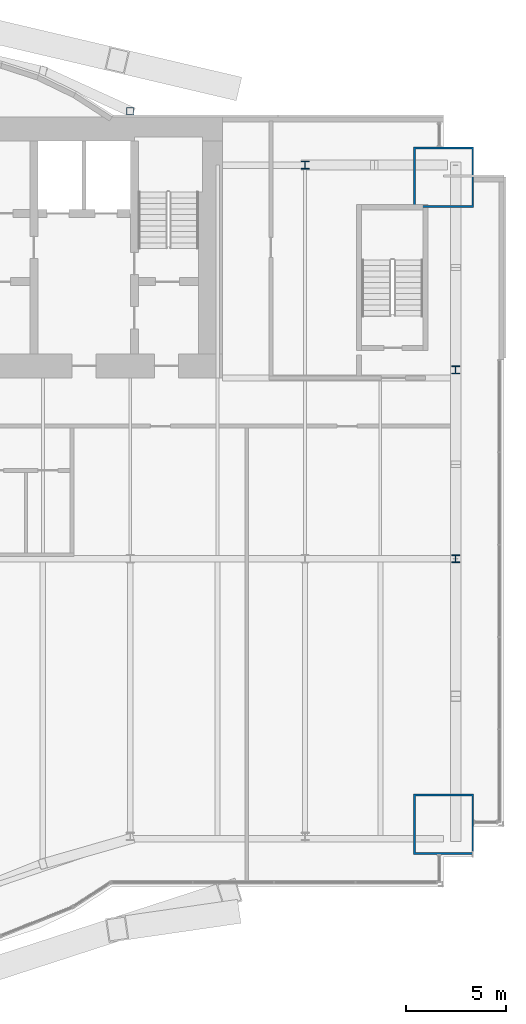
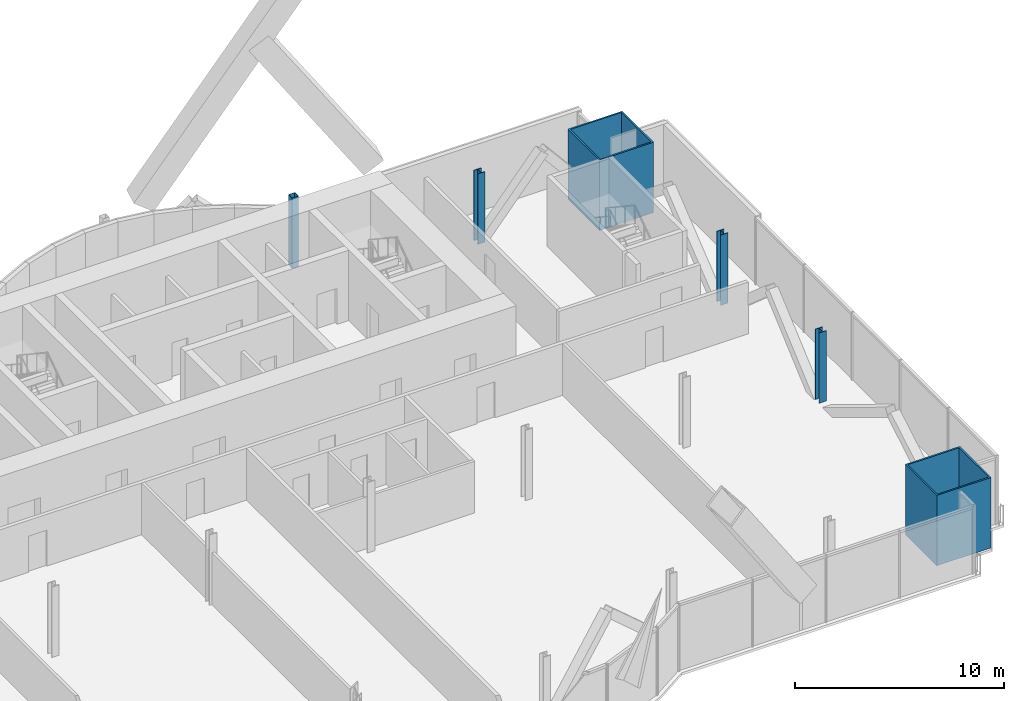
# One storey, part 3 of 22: 6 columns.
"""IFC4 building model written with IfcOpenShell, lengths in metres."""

from ifc_helpers import new_model, si_unit, direction, frame, origin, origin_2d, place, context, subcontext, project, spatial, hollow_rectangle, i_section, extrude, material, material_profile, profile_set, type_object, element, save


model = new_model("IFC4")

# Units and contexts
model_context = context("Model", 3, precision=1e-05, world=origin(), true_north=direction((0.0, 1.0)))
body_context = subcontext(model_context, "Body", "Model", "MODEL_VIEW")
ifc_project = project(units=[si_unit("LENGTHUNIT", "METRE"), si_unit("AREAUNIT", "SQUARE_METRE"), si_unit("VOLUMEUNIT", "CUBIC_METRE"), si_unit("PLANEANGLEUNIT", "RADIAN"), si_unit("MASSUNIT", "GRAM", prefix="KILO")], contexts=[model_context])

# Site, building, storey
site_placement = place(None, origin())
site = spatial("IfcSite", under=ifc_project, at=site_placement, CompositionType="ELEMENT")
building_placement = place(site_placement, origin())
building = spatial("IfcBuilding", under=site, at=building_placement, Name="Bicima Exchange Tower", CompositionType="ELEMENT")
storey_placement = place(building_placement, frame((0.0, 0.0, 102.199951171875)))
storey = spatial("IfcBuildingStorey", under=building, at=storey_placement, Name="L21", CompositionType="ELEMENT", Elevation=102.199951171875)

# Columns
ifc_material_1 = material(Name="Steel ASTM A572 Gr 50", Category="steel")
ifc_material_profile_1 = material_profile(ifc_material_1, hollow_rectangle(XDim=3.0, YDim=3.0, WallThickness=0.090087890625, at=origin_2d()))
ifc_profile_set_1 = profile_set([ifc_material_profile_1], Name="Steel ASTM A572 Gr 50")
column_type_1 = type_object("IfcColumnType", Name="Mega column BOX 3000x3000x90", PredefinedType="COLUMN", material=ifc_profile_set_1)
for number, where, z_axis, x_axis, name in (
    (1, (33.0, -35.218017578125, 0.0), (0.0, 0.0, 1.0), (1.0, 0.0, 0.0), "Mega column mega+33.0f"),
    (2, (33.0, -3.0, 0.0), (0.0, 0.0, 1.0), (1.0, 0.0, 0.0), "Mega column mega+33.0r"),
):
    element("IfcColumn", number, at=place(storey_placement, frame(where, z_axis=z_axis, x_axis=x_axis)), inside=storey, type_object=column_type_1, Name=name, PredefinedType="COLUMN", context=body_context, shape_type="SweptSolid", body=[
        extrude(hollow_rectangle(XDim=3.0, YDim=3.0, WallThickness=0.090087890625, at=origin_2d()), origin(), (0.0, 0.0, 1.0), 4.10009765625),
    ])
ifc_material_2 = material(Name="Steel ASTM A992 Gr 50", Category="steel")
ifc_material_profile_2 = material_profile(ifc_material_2, i_section(OverallWidth=0.398681640625, OverallDepth=0.393798828125, WebThickness=0.022705078125, FlangeThickness=0.03662109375, at=origin_2d()))
ifc_profile_set_2 = profile_set([ifc_material_profile_2], Name="Steel ASTM A992 Gr 50")
column_type_2 = type_object("IfcColumnType", Name="Perimeter column W14x193", PredefinedType="COLUMN", material=ifc_profile_set_2)
for number, where, z_axis, x_axis, name in (
    (3, (26.10009765625, -2.39990234375, 0.0), (0.0, 0.0, 1.0), (1.0, 0.0, 0.0), "Perimeter column grav+26.1r"),
    (4, (33.60009765625, -12.60009765625, 0.0), (0.0, 0.0, 1.0), (1.0, 0.0, 0.0), "End column end+33.6e"),
    (5, (33.60009765625, -22.0, 0.0), (0.0, 0.0, 1.0), (1.0, 0.0, 0.0), "End column end+33.6e"),
):
    element("IfcColumn", number, at=place(storey_placement, frame(where, z_axis=z_axis, x_axis=x_axis)), inside=storey, type_object=column_type_2, Name=name, PredefinedType="COLUMN", context=body_context, shape_type="SweptSolid", body=[
        extrude(i_section(OverallWidth=0.398681640625, OverallDepth=0.393798828125, WebThickness=0.022705078125, FlangeThickness=0.03662109375, at=origin_2d()), origin(), (0.0, 0.0, 1.0), 4.10009765625),
    ])
ifc_material_profile_3 = material_profile(ifc_material_1, hollow_rectangle(XDim=0.355712890625, YDim=0.355712890625, WallThickness=0.01171875, at=origin_2d()))
ifc_profile_set_3 = profile_set([ifc_material_profile_3], Name="Steel ASTM A572 Gr 50")
column_type_3 = type_object("IfcColumnType", Name="Rear pilaster HSS14x14x1/2", PredefinedType="COLUMN", material=ifc_profile_set_3)
column_placement = place(storey_placement, frame((17.39990234375, 0.278076171875, 0.0), z_axis=(0.0, 0.0, 1.0), x_axis=(1.0, 0.0, 0.0)))
element("IfcColumn", 6, at=column_placement, inside=storey, type_object=column_type_3, Name="Rear pilaster rexo+17.4r", PredefinedType="COLUMN", context=body_context, shape_type="SweptSolid", body=[
    extrude(hollow_rectangle(XDim=0.355712890625, YDim=0.355712890625, WallThickness=0.01171875, at=origin_2d()), origin(), (0.0, 0.0, 1.0), 4.10009765625),
])

save(model, "model.ifc")
